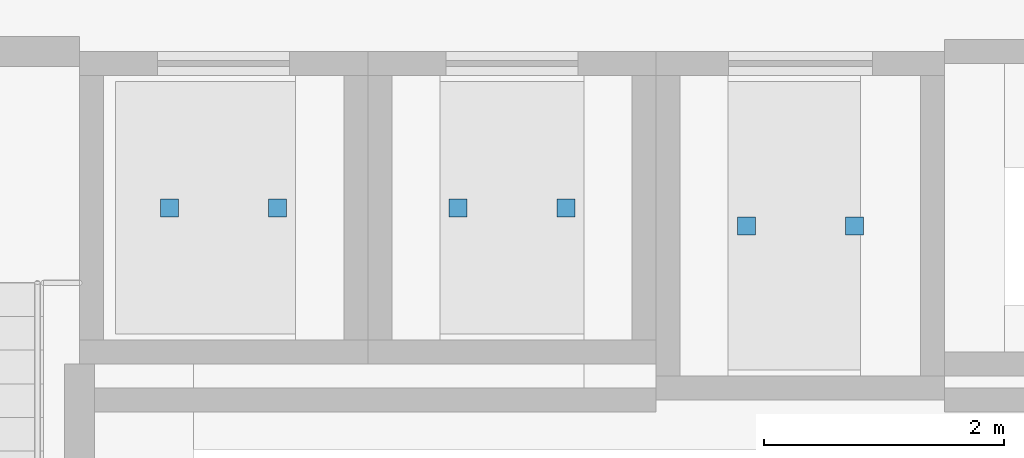
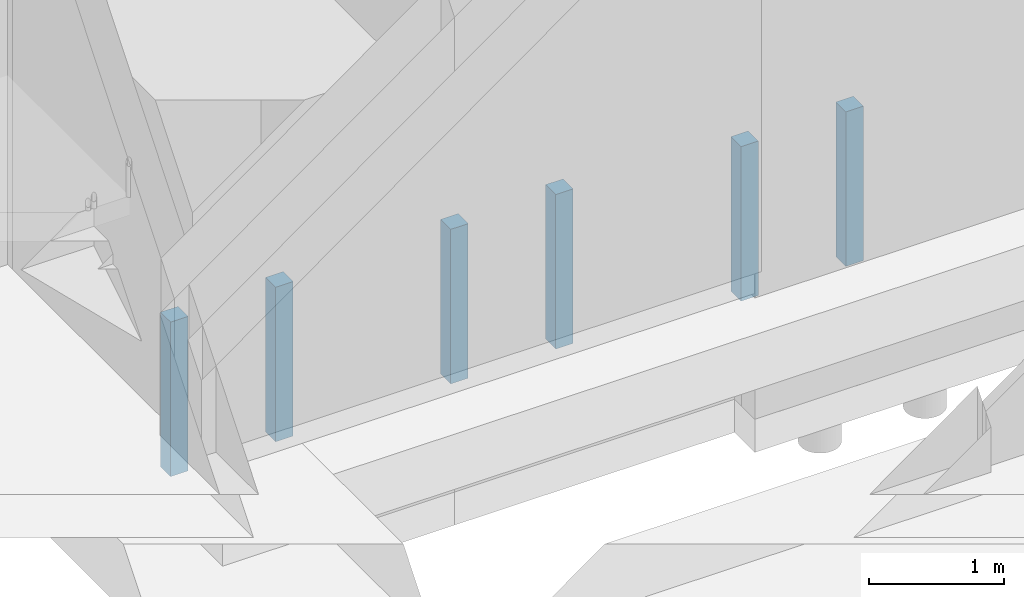
# One storey, part 114 of 148: 6 discrete accessories.
"""IFC4 building model written with IfcOpenShell, lengths in metres."""

from ifc_helpers import new_model, si_unit, direction, frame, origin, origin_2d, place, context, subcontext, project, spatial, rectangle, extrude, material, layer, layer_set, type_object, element, save


model = new_model("IFC4")

# Units and contexts
model_context = context("Model", 3, precision=1e-05, world=origin(), true_north=direction((0.0, 1.0)))
body_context = subcontext(model_context, "Body", "Model", "MODEL_VIEW")
ifc_project = project(units=[si_unit("LENGTHUNIT", "METRE"), si_unit("AREAUNIT", "SQUARE_METRE"), si_unit("VOLUMEUNIT", "CUBIC_METRE"), si_unit("PLANEANGLEUNIT", "RADIAN"), si_unit("MASSUNIT", "GRAM", prefix="KILO")], contexts=[model_context])

# Site, building, storey
site_placement = place(None, origin())
site = spatial("IfcSite", under=ifc_project, at=site_placement, CompositionType="ELEMENT")
building_placement = place(site_placement, origin())
building = spatial("IfcBuilding", under=site, at=building_placement, Name="Kupolbacken Congress Centre", CompositionType="ELEMENT")
storey_placement = place(building_placement, origin())
storey = spatial("IfcBuildingStorey", under=building, at=storey_placement, Name="L00", CompositionType="ELEMENT", Elevation=0.0)

# Discrete accessories
ifc_material = material(Name="Steel S355", Category="steel")
ifc_layer = layer(ifc_material, 0.011962890625)
ifc_layer_set = layer_set([ifc_layer], Name="Steel S355")
discrete_accessory_type = type_object("IfcDiscreteAccessoryType", Name="BK1 bracket 150 x 150 x 12", PredefinedType="BRACKET", material=ifc_layer_set)
for number, where, z_axis, x_axis, name in (
    (1, (141.35009765625, 130.10009765625, -1.39990234375), (0.0, 0.0, 1.0), (1.0, 0.0, 0.0), "Lift car buffer post LP15"),
    (2, (142.25, 130.10009765625, -1.39990234375), (0.0, 0.0, 1.0), (1.0, 0.0, 0.0), "Lift car buffer post LP15"),
    (3, (143.75, 130.10009765625, -1.39990234375), (0.0, 0.0, 1.0), (1.0, 0.0, 0.0), "Lift car buffer post LP16"),
    (4, (144.64990234375, 130.10009765625, -1.39990234375), (0.0, 0.0, 1.0), (1.0, 0.0, 0.0), "Lift car buffer post LP16"),
    (5, (146.14990234375, 129.949951171875, -1.39990234375), (0.0, 0.0, 1.0), (1.0, 0.0, 0.0), "Lift car buffer post LV2"),
    (6, (147.050048828125, 129.949951171875, -1.39990234375), (0.0, 0.0, 1.0), (1.0, 0.0, 0.0), "Lift car buffer post LV2"),
):
    element("IfcDiscreteAccessory", number, at=place(storey_placement, frame(where, z_axis=z_axis, x_axis=x_axis)), inside=storey, type_object=discrete_accessory_type, Name=name, PredefinedType="BRACKET", context=body_context, shape_type="SweptSolid", body=[
        extrude(rectangle(XDim=0.14990234375, YDim=0.14990234375, at=origin_2d()), origin(), (0.0, 0.0, 1.0), 1.39990234375),
    ])

save(model, "model.ifc")
